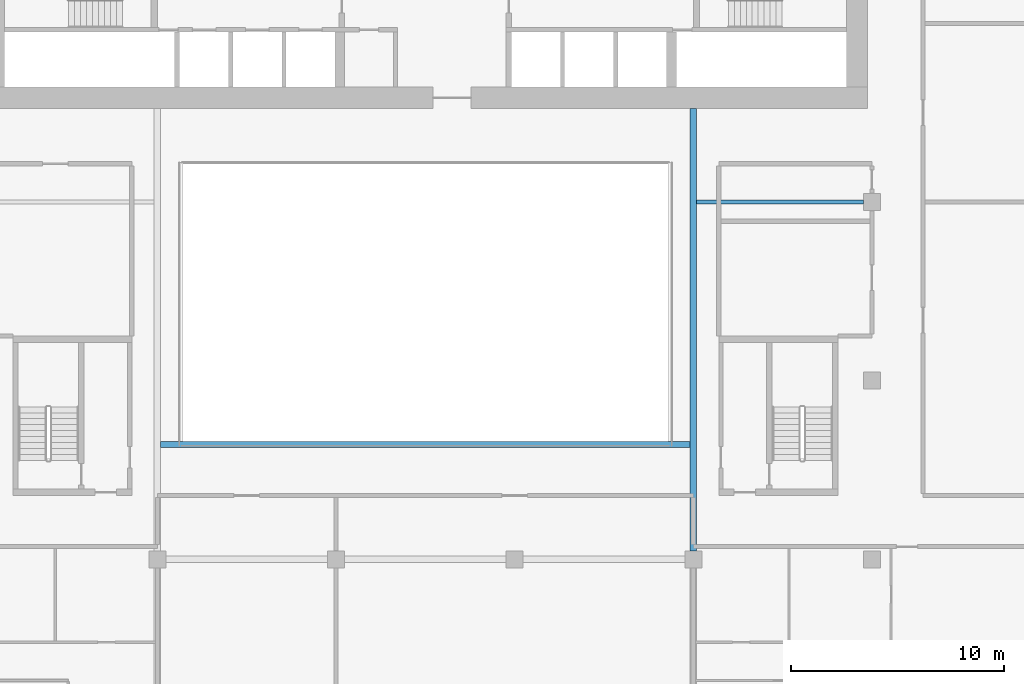
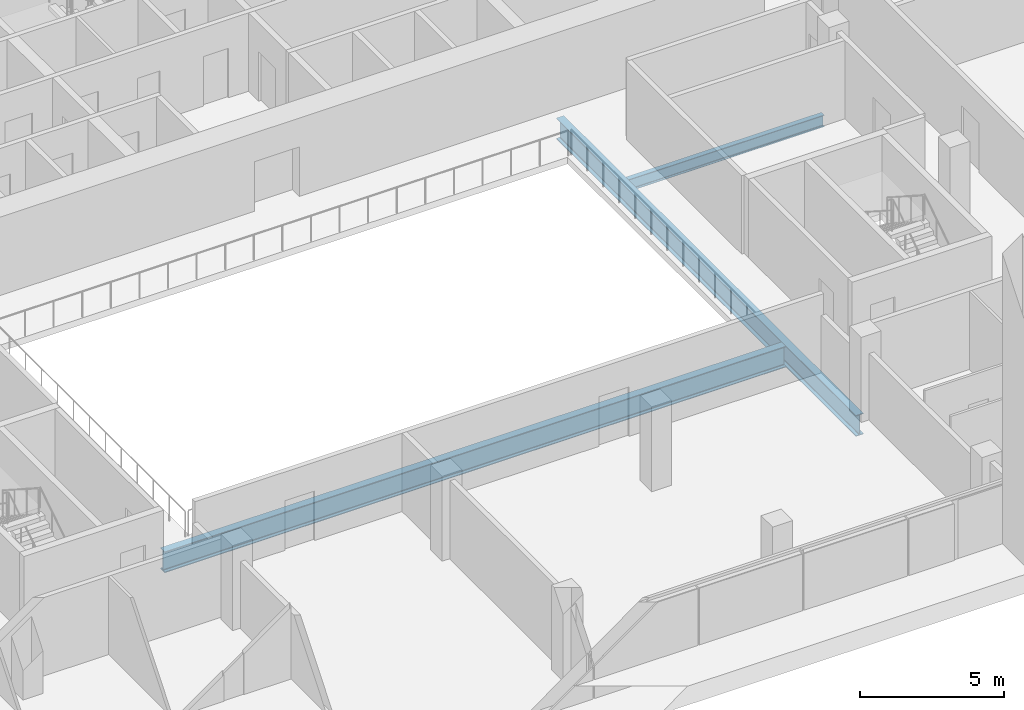
# One storey, part 10 of 30: 3 beams.
"""IFC4 building model written with IfcOpenShell, lengths in metres."""

from ifc_helpers import new_model, si_unit, direction, frame, origin, origin_2d, place, context, subcontext, project, spatial, i_section, extrude, material, material_profile, profile_set, type_object, element, save


model = new_model("IFC4")

# Units and contexts
model_context = context("Model", 3, precision=1e-05, world=origin(), true_north=direction((0.0, 1.0)))
body_context = subcontext(model_context, "Body", "Model", "MODEL_VIEW")
ifc_project = project(units=[si_unit("LENGTHUNIT", "METRE"), si_unit("AREAUNIT", "SQUARE_METRE"), si_unit("VOLUMEUNIT", "CUBIC_METRE"), si_unit("PLANEANGLEUNIT", "RADIAN"), si_unit("MASSUNIT", "GRAM", prefix="KILO")], contexts=[model_context])

# Site, building, storey
site_placement = place(None, origin())
site = spatial("IfcSite", under=ifc_project, at=site_placement, CompositionType="ELEMENT")
building_placement = place(site_placement, origin())
building = spatial("IfcBuilding", under=site, at=building_placement, Name="Saffron Gate Tower", CompositionType="ELEMENT")
storey_placement = place(building_placement, frame((0.0, 0.0, 95.25)))
storey = spatial("IfcBuildingStorey", under=building, at=storey_placement, Name="L21", CompositionType="ELEMENT", Elevation=95.25)

# Beams
ifc_material = material(Name="Structural steel S355", Category="steel")
ifc_material_profile_1 = material_profile(ifc_material, i_section(OverallWidth=0.199951171875, OverallDepth=0.5, WebThickness=0.01025390625, FlangeThickness=0.01611328125, FilletRadius=0.02099609375, at=origin_2d()))
ifc_profile_set_1 = profile_set([ifc_material_profile_1], Name="Structural steel S355")
beam_type_1 = type_object("IfcBeamType", Name="B10 IPE 500", PredefinedType="BEAM", material=ifc_profile_set_1)
beam_1_placement = place(storey_placement, frame((108.199951171875, 57.0, -0.530029296875), z_axis=(-1.0, 0.0, 0.0), x_axis=(0.0, -1.0, 0.0)))
element("IfcBeam", 1, at=beam_1_placement, inside=storey, type_object=beam_type_1, Name="B10 CORE TIE BEAM", PredefinedType="BEAM", context=body_context, shape_type="SweptSolid", body=[
    extrude(i_section(OverallWidth=0.199951171875, OverallDepth=0.5, WebThickness=0.01025390625, FlangeThickness=0.01611328125, FilletRadius=0.02099609375, at=origin_2d()), origin(), (0.0, 0.0, 1.0), 7.849853515625),
])
ifc_material_profile_2 = material_profile(ifc_material, i_section(OverallWidth=0.300048828125, OverallDepth=0.889892578125, WebThickness=0.01611328125, FlangeThickness=0.030029296875, FilletRadius=0.030029296875, at=origin_2d()))
ifc_profile_set_2 = profile_set([ifc_material_profile_2], Name="Structural steel S355")
beam_type_2 = type_object("IfcBeamType", Name="B19 HEA 900", PredefinedType="BEAM", material=ifc_profile_set_2)
beam_2_placement = place(storey_placement, frame((100.199951171875, 40.60009765625, -0.72509765625), z_axis=(0.0, 1.0, 0.0), x_axis=(-1.0, 0.0, 0.0)))
element("IfcBeam", 2, at=beam_2_placement, inside=storey, type_object=beam_type_2, Name="B19 ATRIUM GIRDER", PredefinedType="BEAM", context=body_context, shape_type="SweptSolid", body=[
    extrude(i_section(OverallWidth=0.300048828125, OverallDepth=0.889892578125, WebThickness=0.01611328125, FlangeThickness=0.030029296875, FilletRadius=0.030029296875, at=origin_2d()), origin(), (0.0, 0.0, 1.0), 20.7998046875),
])
beam_3_placement = place(storey_placement, frame((75.14990234375, 45.60009765625, -0.72509765625), z_axis=(1.0, 0.0, 0.0), x_axis=(0.0, 1.0, 0.0)))
element("IfcBeam", 3, at=beam_3_placement, inside=storey, type_object=beam_type_2, Name="B19 ATRIUM GIRDER", PredefinedType="BEAM", context=body_context, shape_type="SweptSolid", body=[
    extrude(i_section(OverallWidth=0.300048828125, OverallDepth=0.889892578125, WebThickness=0.01611328125, FlangeThickness=0.030029296875, FilletRadius=0.030029296875, at=origin_2d()), origin(), (0.0, 0.0, 1.0), 24.900146484375),
])

save(model, "model.ifc")
